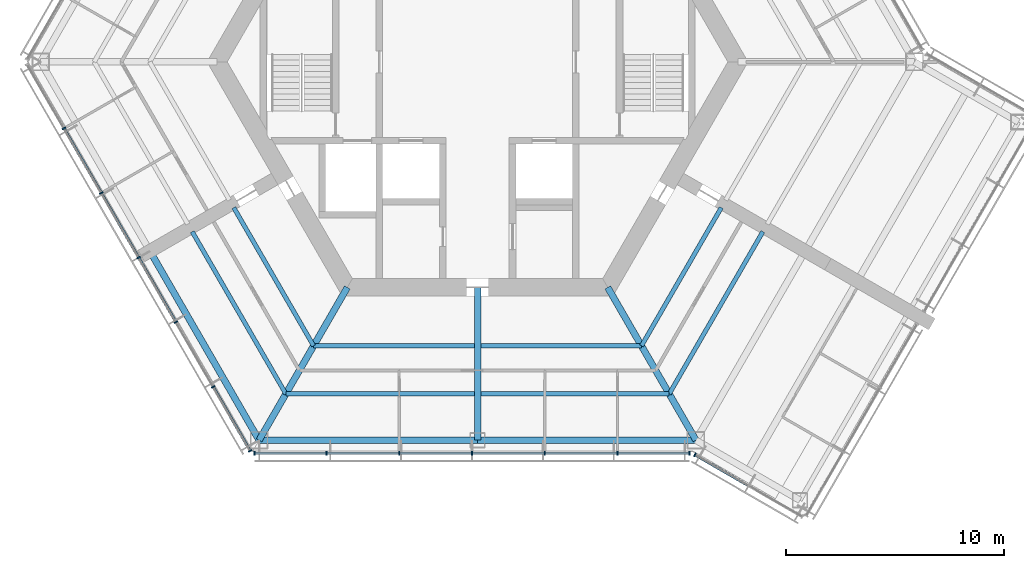
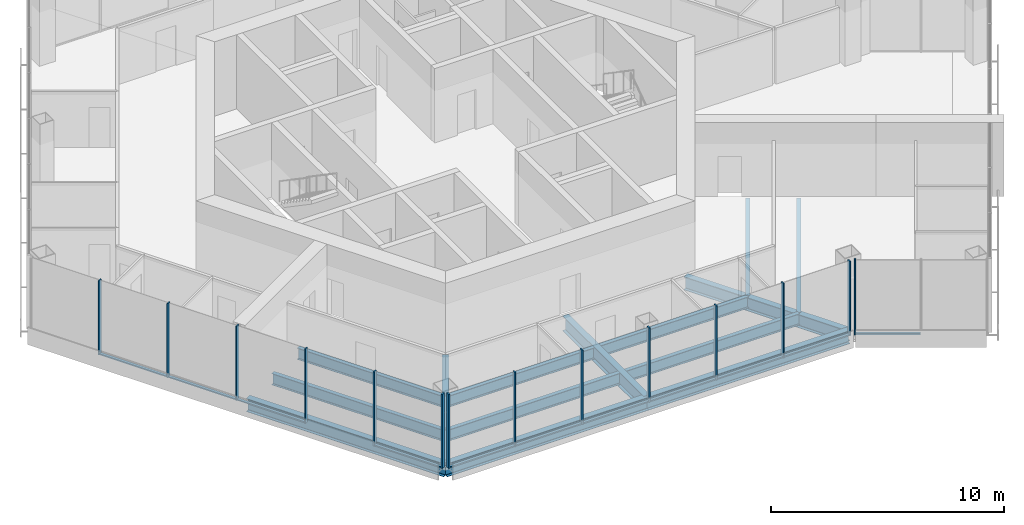
# One storey, part 2 of 13: 25 members, 14 beams, 3 elements without a shape of their own.
"""IFC4 building model written with IfcOpenShell, lengths in metres."""

import ifcopenshell
import ifcopenshell.guid

model = None  # the IFC model being written
_history = None  # IfcOwnerHistory: only IFC2X3 demands one
_inside = {}  # id of a spatial element -> (the spatial element, [elements in it])
_under = {}  # id of a project, library or spatial element -> (it, [spatial elements below it])
_declared = {}  # id of a project -> (the project, [libraries it declares])
_typed = {}  # id of a type object -> (the type object, [elements of that type])
_made_of = {}  # id of a material, layer set ... -> (it, [elements and type objects made of it])


def new_model(schema):
    """Start an empty IFC model of exactly this schema.

    Asked for "IFC4X3", IfcOpenShell would pick the latest addendum, in which some entities
    have other attributes; the version numbers below select the first issue.
    IFC2X3 requires an IfcOwnerHistory on every rooted entity: one is made here for all.
    """
    global model, _history
    if schema == "IFC4X3":
        model = ifcopenshell.file(schema_version=(4, 3, 0, 0))
    else:
        model = ifcopenshell.file(schema=schema)
    _inside.clear()
    _under.clear()
    _declared.clear()
    _typed.clear()
    _made_of.clear()
    _history = None
    if model.schema == "IFC2X3":
        org = make("IfcOrganization", Name="unknown")
        user = make(
            "IfcPersonAndOrganization",
            ThePerson=make("IfcPerson", FamilyName="unknown"),
            TheOrganization=org,
        )
        app = make(
            "IfcApplication",
            ApplicationDeveloper=org,
            Version="unknown",
            ApplicationFullName="unknown",
            ApplicationIdentifier="unknown",
        )
        _history = make(
            "IfcOwnerHistory",
            OwningUser=user,
            OwningApplication=app,
            ChangeAction="ADDED",
            CreationDate=0,
        )
    return model


def make(cls, **values):
    """One entity of the class cls with the attributes given. An attribute that is None is left unset."""
    return model.create_entity(
        cls, **{name: value for name, value in values.items() if value is not None}
    )


def rooted(cls, **values):
    """An entity with a GlobalId (a new one), such as an element, a storey or a relation."""
    return make(cls, GlobalId=ifcopenshell.guid.new(), OwnerHistory=_history, **values)


def si_unit(unit_type, name, prefix=None):
    """IfcSIUnit, for example si_unit("LENGTHUNIT", "METRE", prefix="MILLI")."""
    return make("IfcSIUnit", UnitType=unit_type, Prefix=prefix, Name=name)


def assignment(units):
    """IfcUnitAssignment: the units of a project."""
    return None if units is None else make("IfcUnitAssignment", Units=units)


def point(xyz):
    """IfcCartesianPoint."""
    return None if xyz is None else make("IfcCartesianPoint", Coordinates=xyz)


def direction(xyz):
    """IfcDirection."""
    return None if xyz is None else make("IfcDirection", DirectionRatios=xyz)


def frame(location, z_axis=None, x_axis=None):
    """IfcAxis2Placement3D, a coordinate frame: its origin and axes. An axis left out is left unset."""
    return make(
        "IfcAxis2Placement3D",
        Location=point(location),
        Axis=direction(z_axis),
        RefDirection=direction(x_axis),
    )


def frame_2d(location, x_axis=None):
    """IfcAxis2Placement2D, a coordinate frame in the plane: its origin and x axis."""
    return make(
        "IfcAxis2Placement2D", Location=point(location), RefDirection=direction(x_axis)
    )


def origin():
    """The frame at (0, 0, 0) with its axes left unset."""
    return frame((0.0, 0.0, 0.0))


def origin_2d():
    """The frame at (0, 0) in the plane with its x axis left unset."""
    return frame_2d((0.0, 0.0))


def place(relative_to, where):
    """IfcLocalPlacement: puts the frame where relative to a parent placement (None: the world)."""
    return make(
        "IfcLocalPlacement", PlacementRelTo=relative_to, RelativePlacement=where
    )


def context(
    kind, dimensions, precision=None, world=None, true_north=None, identifier=None
):
    """IfcGeometricRepresentationContext, for example the 3D "Model" context."""
    return make(
        "IfcGeometricRepresentationContext",
        ContextIdentifier=identifier,
        ContextType=kind,
        CoordinateSpaceDimension=dimensions,
        Precision=precision,
        WorldCoordinateSystem=world,
        TrueNorth=true_north,
    )


def subcontext(parent, identifier, kind, view, scale=None):
    """IfcGeometricRepresentationSubContext, for example "Body" below "Model"."""
    return make(
        "IfcGeometricRepresentationSubContext",
        ContextIdentifier=identifier,
        ContextType=kind,
        ParentContext=parent,
        TargetScale=scale,
        TargetView=view,
    )


def project(units=None, contexts=None):
    """IfcProject with its units and contexts."""
    return rooted(
        "IfcProject",
        Name="project",
        RepresentationContexts=contexts,
        UnitsInContext=assignment(units),
    )


def spatial(cls, under=None, at=None, **own):
    """A site, building, storey or space (cls), placed at a placement, below another one or the project."""
    s = rooted(cls, ObjectPlacement=at, **own)
    if under is not None:
        _under.setdefault(under.id(), (under, []))[1].append(s)
    return s


def profile(cls, at=None, kind="AREA", **sizes):
    """A parametric profile (cls). Its sizes go by their IFC names, for example OverallWidth=200.0."""
    return make(cls, ProfileType=kind, Position=at, **sizes)


def rectangle(**sizes):
    """IfcRectangleProfileDef."""
    return profile("IfcRectangleProfileDef", **sizes)


def i_section(**sizes):
    """IfcIShapeProfileDef."""
    return profile("IfcIShapeProfileDef", **sizes)


def extrude(swept, where, along, depth):
    """IfcExtrudedAreaSolid: the profile swept, set in the frame where, extruded along a direction by depth."""
    return make(
        "IfcExtrudedAreaSolid",
        SweptArea=swept,
        Position=where,
        ExtrudedDirection=direction(along),
        Depth=depth,
    )


def shape(context_of_items, identifier, shape_type, items):
    """IfcShapeRepresentation: the items that make up one representation, for example the "Body"."""
    return make(
        "IfcShapeRepresentation",
        ContextOfItems=context_of_items,
        RepresentationIdentifier=identifier,
        RepresentationType=shape_type,
        Items=items,
    )


def material(Name=None, Category=None):
    """IfcMaterial."""
    return make("IfcMaterial", Name=Name, Category=Category)


def material_profile(
    of_material, cross_section, Name=None, Category=None, Priority=None
):
    """IfcMaterialProfile: a cross section and its material."""
    return make(
        "IfcMaterialProfile",
        Name=Name,
        Material=of_material,
        Profile=cross_section,
        Priority=Priority,
        Category=Category,
    )


def profile_set(profiles, Name=None, composite=None):
    """IfcMaterialProfileSet."""
    return make(
        "IfcMaterialProfileSet",
        Name=Name,
        MaterialProfiles=profiles,
        CompositeProfile=composite,
    )


def made_of(thing, what):
    """Note that an element or type object is made of a material, layer set ...; save() writes the relation."""
    if what is not None:
        _made_of.setdefault(what.id(), (what, []))[1].append(thing)
    return thing


def type_object(cls, material=None, **own):
    """A type object (cls), such as IfcWallType, which elements share."""
    return made_of(rooted(cls, **own), material)


def element(
    cls,
    number,
    at=None,
    inside=None,
    cuts=None,
    type_object=None,
    material=None,
    context=None,
    identifier="Body",
    shape_type=None,
    held_by="IfcProductDefinitionShape",
    body=None,
    shapes=None,
    **own,
):
    """One element of the class cls, such as IfcWall. Its Tag is "e" and its number.

    at: its placement. inside: the storey or other place that contains it. cuts: it is an
    opening in that element (IfcRelVoidsElement). A single representation is given by context,
    identifier, shape_type and body (its items); several are given by shapes. held_by: the class
    of the entity that holds the representations. save() writes the other relations.
    """
    e = rooted(cls, Tag="e%d" % number, ObjectPlacement=at, **own)
    if body is not None:
        shapes = [shape(context, identifier, shape_type, body)]
    if shapes is not None:
        e.Representation = make(held_by, Representations=shapes)
    if inside is not None:
        _inside.setdefault(inside.id(), (inside, []))[1].append(e)
    if cuts is not None:
        rooted(
            "IfcRelVoidsElement", RelatingBuildingElement=cuts, RelatedOpeningElement=e
        )
    if type_object is not None:
        _typed.setdefault(type_object.id(), (type_object, []))[1].append(e)
    return made_of(e, material)


def aggregate(whole, parts):
    """IfcRelAggregates: a whole, such as a stair, and the parts it consists of."""
    return rooted("IfcRelAggregates", RelatingObject=whole, RelatedObjects=parts)


def save(model, path):
    """Write the relations noted so far, then the file.

    IfcRelAggregates (storeys below a building ...), IfcRelContainedInSpatialStructure (elements
    in a storey), IfcRelDefinesByType, IfcRelAssociatesMaterial and IfcRelDeclares: one each for
    every whole, place, type object, material and project.
    """
    for whole, parts in _under.values():
        aggregate(whole, parts)
    for where, things in _inside.values():
        rooted(
            "IfcRelContainedInSpatialStructure",
            RelatedElements=things,
            RelatingStructure=where,
        )
    for kind, things in _typed.values():
        rooted("IfcRelDefinesByType", RelatedObjects=things, RelatingType=kind)
    for what, things in _made_of.values():
        rooted("IfcRelAssociatesMaterial", RelatedObjects=things, RelatingMaterial=what)
    for by, libraries in _declared.values():
        rooted("IfcRelDeclares", RelatingContext=by, RelatedDefinitions=libraries)
    model.write(path)


model = new_model("IFC4")

# Units and contexts
model_context = context("Model", 3, precision=1e-05, world=origin(), true_north=direction((0.0, 1.0)))
body_context = subcontext(model_context, "Body", "Model", "MODEL_VIEW")
ifc_project = project(units=[si_unit("LENGTHUNIT", "METRE"), si_unit("AREAUNIT", "SQUARE_METRE"), si_unit("VOLUMEUNIT", "CUBIC_METRE"), si_unit("PLANEANGLEUNIT", "RADIAN"), si_unit("MASSUNIT", "GRAM", prefix="KILO")], contexts=[model_context])

# Site, building, storey
site_placement = place(None, origin())
site = spatial("IfcSite", under=ifc_project, at=site_placement, CompositionType="ELEMENT")
building_placement = place(site_placement, origin())
building = spatial("IfcBuilding", under=site, at=building_placement, Name="Kasaneha Research Tower", CompositionType="ELEMENT")
storey_placement = place(building_placement, frame((0.0, 0.0, 286.89990234375)))
storey = spatial("IfcBuildingStorey", under=building, at=storey_placement, Name="L72", CompositionType="ELEMENT", Elevation=286.89990234375)

# Beams
ifc_material_1 = material(Name="Steel SN490B", Category="steel")
ifc_material_profile_1 = material_profile(ifc_material_1, i_section(OverallWidth=0.199951171875, OverallDepth=0.60009765625, WebThickness=0.010986328125, FlangeThickness=0.01708984375, FilletRadius=0.012939453125, at=origin_2d()), Name="H-600x200x11x17")
ifc_profile_set_1 = profile_set([ifc_material_profile_1], Name="Steel SN490B")
beam_type_1 = type_object("IfcBeamType", Name="B1-3 secondary beam H-600x200x11x17", PredefinedType="JOIST", material=ifc_profile_set_1)
beam_1_placement = place(storey_placement, frame((-7.505615234375, -13.0, -0.449951171875), z_axis=(-0.499999192304, 0.866025870108, 0.0), x_axis=(-0.866025870108, -0.499999192304, 0.0)))
element("IfcBeam", 1, at=beam_1_placement, inside=storey, type_object=beam_type_1, Name="Secondary beam RS210R1 L72", PredefinedType="JOIST", context=body_context, shape_type="SweptSolid", body=[
    extrude(i_section(OverallWidth=0.199951171875, OverallDepth=0.60009765625, WebThickness=0.010986328125, FlangeThickness=0.01708984375, FilletRadius=0.012939453125, at=origin_2d()), origin(), (0.0, 0.0, 1.0), 7.3056640625),
])
beam_2_placement = place(storey_placement, frame((-8.775634765625, -15.199951171875, -0.449951171875), z_axis=(-0.500000102728, 0.866025344474, 0.0), x_axis=(-0.866025344474, -0.500000102728, 0.0)))
element("IfcBeam", 2, at=beam_2_placement, inside=storey, type_object=beam_type_1, Name="Secondary beam RS210R2 L72", PredefinedType="JOIST", context=body_context, shape_type="SweptSolid", body=[
    extrude(i_section(OverallWidth=0.199951171875, OverallDepth=0.60009765625, WebThickness=0.010986328125, FlangeThickness=0.01708984375, FilletRadius=0.012939453125, at=origin_2d()), origin(), (0.0, 0.0, 1.0), 8.57568359375),
])
beam_3_placement = place(storey_placement, frame((-7.505615234375, -13.0, -0.449951171875), z_axis=(1.0, 0.0, 0.0), x_axis=(0.0, 1.0, 0.0)))
element("IfcBeam", 3, at=beam_3_placement, inside=storey, type_object=beam_type_1, Name="Secondary beam RS270L1 L72", PredefinedType="JOIST", context=body_context, shape_type="SweptSolid", body=[
    extrude(i_section(OverallWidth=0.199951171875, OverallDepth=0.60009765625, WebThickness=0.010986328125, FlangeThickness=0.01708984375, FilletRadius=0.012939453125, at=origin_2d()), origin(), (0.0, 0.0, 1.0), 7.355712890625),
])
beam_4_placement = place(storey_placement, frame((-8.775634765625, -15.199951171875, -0.449951171875), z_axis=(1.0, 0.0, 0.0), x_axis=(0.0, 1.0, 0.0)))
element("IfcBeam", 4, at=beam_4_placement, inside=storey, type_object=beam_type_1, Name="Secondary beam RS270L2 L72", PredefinedType="JOIST", context=body_context, shape_type="SweptSolid", body=[
    extrude(i_section(OverallWidth=0.199951171875, OverallDepth=0.60009765625, WebThickness=0.010986328125, FlangeThickness=0.01708984375, FilletRadius=0.012939453125, at=origin_2d()), origin(), (0.0, 0.0, 1.0), 8.625732421875),
])
beam_5_placement = place(storey_placement, frame((7.505615234375, -13.0, -0.449951171875), z_axis=(-1.0, 0.0, 0.0), x_axis=(0.0, -1.0, 0.0)))
element("IfcBeam", 5, at=beam_5_placement, inside=storey, type_object=beam_type_1, Name="Secondary beam RS270R1 L72", PredefinedType="JOIST", context=body_context, shape_type="SweptSolid", body=[
    extrude(i_section(OverallWidth=0.199951171875, OverallDepth=0.60009765625, WebThickness=0.010986328125, FlangeThickness=0.01708984375, FilletRadius=0.012939453125, at=origin_2d()), origin(), (0.0, 0.0, 1.0), 7.355712890625),
])
beam_6_placement = place(storey_placement, frame((8.775634765625, -15.199951171875, -0.449951171875), z_axis=(-1.0, 0.0, 0.0), x_axis=(0.0, -1.0, 0.0)))
element("IfcBeam", 6, at=beam_6_placement, inside=storey, type_object=beam_type_1, Name="Secondary beam RS270R2 L72", PredefinedType="JOIST", context=body_context, shape_type="SweptSolid", body=[
    extrude(i_section(OverallWidth=0.199951171875, OverallDepth=0.60009765625, WebThickness=0.010986328125, FlangeThickness=0.01708984375, FilletRadius=0.012939453125, at=origin_2d()), origin(), (0.0, 0.0, 1.0), 8.625732421875),
])
beam_7_placement = place(storey_placement, frame((7.505615234375, -13.0, -0.449951171875), z_axis=(0.499999192304, 0.866025870108, 0.0), x_axis=(-0.866025870108, 0.499999192304, 0.0)))
element("IfcBeam", 7, at=beam_7_placement, inside=storey, type_object=beam_type_1, Name="Secondary beam RS330L1 L72", PredefinedType="JOIST", context=body_context, shape_type="SweptSolid", body=[
    extrude(i_section(OverallWidth=0.199951171875, OverallDepth=0.60009765625, WebThickness=0.010986328125, FlangeThickness=0.01708984375, FilletRadius=0.012939453125, at=origin_2d()), origin(), (0.0, 0.0, 1.0), 7.3056640625),
])
beam_8_placement = place(storey_placement, frame((8.775634765625, -15.199951171875, -0.449951171875), z_axis=(0.500000102728, 0.866025344474, 0.0), x_axis=(-0.866025344474, 0.500000102728, 0.0)))
element("IfcBeam", 8, at=beam_8_placement, inside=storey, type_object=beam_type_1, Name="Secondary beam RS330L2 L72", PredefinedType="JOIST", context=body_context, shape_type="SweptSolid", body=[
    extrude(i_section(OverallWidth=0.199951171875, OverallDepth=0.60009765625, WebThickness=0.010986328125, FlangeThickness=0.01708984375, FilletRadius=0.012939453125, at=origin_2d()), origin(), (0.0, 0.0, 1.0), 8.57568359375),
])

# Curtain wall, members
ifc_material_2 = material(Name="Glass and aluminium", Category="aluminium")
curtain_wall_type = type_object("IfcCurtainWallType", Name="Crown curtain wall", PredefinedType="USERDEFINED", material=ifc_material_2)
curtain_wall_1_placement = place(storey_placement, origin())
curtain_wall_1 = element("IfcCurtainWall", 9, at=curtain_wall_1_placement, inside=storey, type_object=curtain_wall_type, Name="CW-C L72 run 04a", ObjectType="UNITISED CURTAIN WALL", PredefinedType="USERDEFINED")
ifc_material_3 = material(Name="Aluminium 6063-T6", Category="aluminium")
ifc_material_profile_2 = material_profile(ifc_material_3, rectangle(XDim=0.06005859375, YDim=0.179931640625, at=origin_2d()), Name="CW-C mullion 60x180")
ifc_profile_set_2 = profile_set([ifc_material_profile_2], Name="Aluminium 6063-T6")
member_type_1 = type_object("IfcMemberType", Name="CW-C mullion", PredefinedType="MULLION", material=ifc_profile_set_2)
member_1_placement = place(storey_placement, frame((-18.93505859375, -3.04443359375, 0.0), z_axis=(0.0, 0.0, 1.0), x_axis=(0.499999995722, -0.866025406254, 0.0)))
member_1 = element("IfcMember", 10, at=member_1_placement, type_object=member_type_1, Name="CW-C mullion 2", PredefinedType="MULLION", context=body_context, shape_type="SweptSolid", body=[
    extrude(rectangle(XDim=0.06005859375, YDim=0.179931640625, at=origin_2d()), origin(), (0.0, 0.0, 1.0), 3.900146484375),
])
member_2_placement = place(storey_placement, frame((-17.227294921875, -6.00244140625, 0.0), z_axis=(0.0, 0.0, 1.0), x_axis=(0.499999995722, -0.866025406254, 0.0)))
member_2 = element("IfcMember", 11, at=member_2_placement, type_object=member_type_1, Name="CW-C mullion 3", PredefinedType="MULLION", context=body_context, shape_type="SweptSolid", body=[
    extrude(rectangle(XDim=0.06005859375, YDim=0.179931640625, at=origin_2d()), origin(), (0.0, 0.0, 1.0), 3.900146484375),
])
member_3_placement = place(storey_placement, frame((-15.51953125, -8.960205078125, 0.0), z_axis=(0.0, 0.0, 1.0), x_axis=(0.499999995722, -0.866025406254, 0.0)))
member_3 = element("IfcMember", 12, at=member_3_placement, type_object=member_type_1, Name="CW-C mullion 4", PredefinedType="MULLION", context=body_context, shape_type="SweptSolid", body=[
    extrude(rectangle(XDim=0.06005859375, YDim=0.179931640625, at=origin_2d()), origin(), (0.0, 0.0, 1.0), 3.900146484375),
])
member_4_placement = place(storey_placement, frame((-13.811767578125, -11.918212890625, 0.0), z_axis=(0.0, 0.0, 1.0), x_axis=(0.499999995722, -0.866025406254, 0.0)))
member_4 = element("IfcMember", 13, at=member_4_placement, type_object=member_type_1, Name="CW-C mullion 5", PredefinedType="MULLION", context=body_context, shape_type="SweptSolid", body=[
    extrude(rectangle(XDim=0.06005859375, YDim=0.179931640625, at=origin_2d()), origin(), (0.0, 0.0, 1.0), 3.900146484375),
])
member_5_placement = place(storey_placement, frame((-12.104248046875, -14.8759765625, 0.0), z_axis=(0.0, 0.0, 1.0), x_axis=(0.499999995722, -0.866025406254, 0.0)))
member_5 = element("IfcMember", 14, at=member_5_placement, type_object=member_type_1, Name="CW-C mullion 6", PredefinedType="MULLION", context=body_context, shape_type="SweptSolid", body=[
    extrude(rectangle(XDim=0.06005859375, YDim=0.179931640625, at=origin_2d()), origin(), (0.0, 0.0, 1.0), 3.900146484375),
])
member_6_placement = place(storey_placement, frame((-10.411376953125, -17.807861328125, 0.0), z_axis=(0.0, 0.0, 1.0), x_axis=(0.499999995722, -0.866025406254, 0.0)))
member_6 = element("IfcMember", 15, at=member_6_placement, type_object=member_type_1, Name="CW-C mullion 7", PredefinedType="MULLION", context=body_context, shape_type="SweptSolid", body=[
    extrude(rectangle(XDim=0.06005859375, YDim=0.179931640625, at=origin_2d()), origin(), (0.0, 0.0, 1.0), 3.900146484375),
])

curtain_wall_2_placement = place(storey_placement, origin())
curtain_wall_2 = element("IfcCurtainWall", 16, at=curtain_wall_2_placement, inside=storey, type_object=curtain_wall_type, Name="CW-C L72 run 05a", ObjectType="UNITISED CURTAIN WALL", PredefinedType="USERDEFINED")
member_7_placement = place(storey_placement, frame((-10.21630859375, -17.92041015625, 0.0), z_axis=(0.0, 0.0, 1.0), x_axis=(1.0, 0.0, 0.0)))
member_7 = element("IfcMember", 17, at=member_7_placement, type_object=member_type_1, Name="CW-C mullion 1", PredefinedType="MULLION", context=body_context, shape_type="SweptSolid", body=[
    extrude(rectangle(XDim=0.06005859375, YDim=0.179931640625, at=origin_2d()), origin(), (0.0, 0.0, 1.0), 3.900146484375),
])
member_8_placement = place(storey_placement, frame((-6.91552734375, -17.92041015625, 0.0), z_axis=(0.0, 0.0, 1.0), x_axis=(1.0, 0.0, 0.0)))
member_8 = element("IfcMember", 18, at=member_8_placement, type_object=member_type_1, Name="CW-C mullion 2", PredefinedType="MULLION", context=body_context, shape_type="SweptSolid", body=[
    extrude(rectangle(XDim=0.06005859375, YDim=0.179931640625, at=origin_2d()), origin(), (0.0, 0.0, 1.0), 3.900146484375),
])
member_9_placement = place(storey_placement, frame((-3.58447265625, -17.92041015625, 0.0), z_axis=(0.0, 0.0, 1.0), x_axis=(1.0, 0.0, 0.0)))
member_9 = element("IfcMember", 19, at=member_9_placement, type_object=member_type_1, Name="CW-C mullion 3", PredefinedType="MULLION", context=body_context, shape_type="SweptSolid", body=[
    extrude(rectangle(XDim=0.06005859375, YDim=0.179931640625, at=origin_2d()), origin(), (0.0, 0.0, 1.0), 3.900146484375),
])
member_10_placement = place(storey_placement, frame((-0.253662109375, -17.92041015625, 0.0), z_axis=(0.0, 0.0, 1.0), x_axis=(1.0, 0.0, 0.0)))
member_10 = element("IfcMember", 20, at=member_10_placement, type_object=member_type_1, Name="CW-C mullion 4", PredefinedType="MULLION", context=body_context, shape_type="SweptSolid", body=[
    extrude(rectangle(XDim=0.06005859375, YDim=0.179931640625, at=origin_2d()), origin(), (0.0, 0.0, 1.0), 3.900146484375),
])
member_11_placement = place(storey_placement, frame((3.077392578125, -17.92041015625, 0.0), z_axis=(0.0, 0.0, 1.0), x_axis=(1.0, 0.0, 0.0)))
member_11 = element("IfcMember", 21, at=member_11_placement, type_object=member_type_1, Name="CW-C mullion 5", PredefinedType="MULLION", context=body_context, shape_type="SweptSolid", body=[
    extrude(rectangle(XDim=0.06005859375, YDim=0.179931640625, at=origin_2d()), origin(), (0.0, 0.0, 1.0), 3.900146484375),
])
member_12_placement = place(storey_placement, frame((6.408203125, -17.92041015625, 0.0), z_axis=(0.0, 0.0, 1.0), x_axis=(1.0, 0.0, 0.0)))
member_12 = element("IfcMember", 22, at=member_12_placement, type_object=member_type_1, Name="CW-C mullion 6", PredefinedType="MULLION", context=body_context, shape_type="SweptSolid", body=[
    extrude(rectangle(XDim=0.06005859375, YDim=0.179931640625, at=origin_2d()), origin(), (0.0, 0.0, 1.0), 3.900146484375),
])
member_13_placement = place(storey_placement, frame((9.709228515625, -17.92041015625, 0.0), z_axis=(0.0, 0.0, 1.0), x_axis=(1.0, 0.0, 0.0)))
member_13 = element("IfcMember", 23, at=member_13_placement, type_object=member_type_1, Name="CW-C mullion 7", PredefinedType="MULLION", context=body_context, shape_type="SweptSolid", body=[
    extrude(rectangle(XDim=0.06005859375, YDim=0.179931640625, at=origin_2d()), origin(), (0.0, 0.0, 1.0), 3.900146484375),
])

# Curtain wall, member
curtain_wall_3_placement = place(storey_placement, origin())
curtain_wall_3 = element("IfcCurtainWall", 24, at=curtain_wall_3_placement, inside=storey, type_object=curtain_wall_type, Name="CW-C L72 run 06a", ObjectType="UNITISED CURTAIN WALL", PredefinedType="USERDEFINED")
member_14_placement = place(storey_placement, frame((9.951904296875, -17.985595703125, 0.0), z_axis=(0.0, 0.0, 1.0), x_axis=(0.866025443395, -0.499999931393, 0.0)))
member_14 = element("IfcMember", 25, at=member_14_placement, type_object=member_type_1, Name="CW-C mullion 1", PredefinedType="MULLION", context=body_context, shape_type="SweptSolid", body=[
    extrude(rectangle(XDim=0.06005859375, YDim=0.179931640625, at=origin_2d()), origin(), (0.0, 0.0, 1.0), 3.900146484375),
])

# Member
ifc_material_4 = material(Name="Aluminium 6063-T6", Category="aluminium")
ifc_material_profile_3 = material_profile(ifc_material_4, rectangle(XDim=0.1298828125, YDim=0.06005859375, at=origin_2d()), Name="CW-C transom 130x60")
ifc_profile_set_3 = profile_set([ifc_material_profile_3], Name="Aluminium 6063-T6")
member_type_2 = type_object("IfcMemberType", Name="CW-C transom", PredefinedType="USERDEFINED", material=ifc_profile_set_3)
member_15_placement = place(storey_placement, frame((-18.920166015625, -3.070556640625, 0.030029296875), z_axis=(0.500020578564, -0.866013522419, 0.0), x_axis=(0.866013522419, 0.500020578564, 0.0)))
member_15 = element("IfcMember", 26, at=member_15_placement, type_object=member_type_2, Name="CW-C transom 2", ObjectType="TRANSOM", PredefinedType="USERDEFINED", context=body_context, shape_type="SweptSolid", body=[
    extrude(rectangle(XDim=0.1298828125, YDim=0.06005859375, at=origin_2d()), origin(), (0.0, 0.0, 1.0), 3.355224609375),
])

member_16_placement = place(storey_placement, frame((-17.21240234375, -6.0283203125, 0.030029296875), z_axis=(0.499989072476, -0.866031712701, 0.0), x_axis=(0.866031712701, 0.499989072476, 0.0)))
member_16 = element("IfcMember", 27, at=member_16_placement, type_object=member_type_2, Name="CW-C transom 3", ObjectType="TRANSOM", PredefinedType="USERDEFINED", context=body_context, shape_type="SweptSolid", body=[
    extrude(rectangle(XDim=0.1298828125, YDim=0.06005859375, at=origin_2d()), origin(), (0.0, 0.0, 1.0), 3.35546875),
])

member_17_placement = place(storey_placement, frame((-15.504638671875, -8.986328125, 0.030029296875), z_axis=(0.500020578564, -0.866013522419, 0.0), x_axis=(0.866013522419, 0.500020578564, 0.0)))
member_17 = element("IfcMember", 28, at=member_17_placement, type_object=member_type_2, Name="CW-C transom 4", ObjectType="TRANSOM", PredefinedType="USERDEFINED", context=body_context, shape_type="SweptSolid", body=[
    extrude(rectangle(XDim=0.1298828125, YDim=0.06005859375, at=origin_2d()), origin(), (0.0, 0.0, 1.0), 3.355224609375),
])

member_18_placement = place(storey_placement, frame((-12.089111328125, -14.902099609375, 0.030029296875), z_axis=(0.49997666526, -0.866038875684, 0.0), x_axis=(0.866038875684, 0.49997666526, 0.0)))
member_18 = element("IfcMember", 29, at=member_18_placement, type_object=member_type_2, Name="CW-C transom 6", ObjectType="TRANSOM", PredefinedType="USERDEFINED", context=body_context, shape_type="SweptSolid", body=[
    extrude(rectangle(XDim=0.1298828125, YDim=0.06005859375, at=origin_2d()), origin(), (0.0, 0.0, 1.0), 3.325439453125),
])

aggregate(curtain_wall_1, [member_1, member_2, member_3, member_4, member_5, member_6, member_15, member_16, member_17, member_18])

member_19_placement = place(storey_placement, frame((-10.1865234375, -17.92041015625, 0.030029296875), z_axis=(1.0, 0.0, 0.0), x_axis=(0.0, 1.0, 0.0)))
member_19 = element("IfcMember", 30, at=member_19_placement, type_object=member_type_2, Name="CW-C transom 1", ObjectType="TRANSOM", PredefinedType="USERDEFINED", context=body_context, shape_type="SweptSolid", body=[
    extrude(rectangle(XDim=0.1298828125, YDim=0.06005859375, at=origin_2d()), origin(), (0.0, 0.0, 1.0), 3.240966796875),
])

member_20_placement = place(storey_placement, frame((-6.885498046875, -17.92041015625, 0.030029296875), z_axis=(1.0, 0.0, 0.0), x_axis=(0.0, 1.0, 0.0)))
member_20 = element("IfcMember", 31, at=member_20_placement, type_object=member_type_2, Name="CW-C transom 2", ObjectType="TRANSOM", PredefinedType="USERDEFINED", context=body_context, shape_type="SweptSolid", body=[
    extrude(rectangle(XDim=0.1298828125, YDim=0.06005859375, at=origin_2d()), origin(), (0.0, 0.0, 1.0), 3.27099609375),
])

member_21_placement = place(storey_placement, frame((-3.554443359375, -17.92041015625, 0.030029296875), z_axis=(1.0, 0.0, 0.0), x_axis=(0.0, 1.0, 0.0)))
member_21 = element("IfcMember", 32, at=member_21_placement, type_object=member_type_2, Name="CW-C transom 3", ObjectType="TRANSOM", PredefinedType="USERDEFINED", context=body_context, shape_type="SweptSolid", body=[
    extrude(rectangle(XDim=0.1298828125, YDim=0.06005859375, at=origin_2d()), origin(), (0.0, 0.0, 1.0), 3.270751953125),
])

member_22_placement = place(storey_placement, frame((-0.2236328125, -17.92041015625, 0.030029296875), z_axis=(1.0, 0.0, 0.0), x_axis=(0.0, 1.0, 0.0)))
member_22 = element("IfcMember", 33, at=member_22_placement, type_object=member_type_2, Name="CW-C transom 4", ObjectType="TRANSOM", PredefinedType="USERDEFINED", context=body_context, shape_type="SweptSolid", body=[
    extrude(rectangle(XDim=0.1298828125, YDim=0.06005859375, at=origin_2d()), origin(), (0.0, 0.0, 1.0), 3.27099609375),
])

member_23_placement = place(storey_placement, frame((3.107421875, -17.92041015625, 0.030029296875), z_axis=(1.0, 0.0, 0.0), x_axis=(0.0, 1.0, 0.0)))
member_23 = element("IfcMember", 34, at=member_23_placement, type_object=member_type_2, Name="CW-C transom 5", ObjectType="TRANSOM", PredefinedType="USERDEFINED", context=body_context, shape_type="SweptSolid", body=[
    extrude(rectangle(XDim=0.1298828125, YDim=0.06005859375, at=origin_2d()), origin(), (0.0, 0.0, 1.0), 3.270751953125),
])

member_24_placement = place(storey_placement, frame((6.438232421875, -17.92041015625, 0.030029296875), z_axis=(1.0, 0.0, 0.0), x_axis=(0.0, 1.0, 0.0)))
member_24 = element("IfcMember", 35, at=member_24_placement, type_object=member_type_2, Name="CW-C transom 6", ObjectType="TRANSOM", PredefinedType="USERDEFINED", context=body_context, shape_type="SweptSolid", body=[
    extrude(rectangle(XDim=0.1298828125, YDim=0.06005859375, at=origin_2d()), origin(), (0.0, 0.0, 1.0), 3.240966796875),
])

aggregate(curtain_wall_2, [member_7, member_8, member_9, member_10, member_11, member_12, member_13, member_19, member_20, member_21, member_22, member_23, member_24])

member_25_placement = place(storey_placement, frame((9.977783203125, -18.00048828125, 0.030029296875), z_axis=(0.866012991964, -0.500021497287, 0.0), x_axis=(0.500021497287, 0.866012991964, 0.0)))
member_25 = element("IfcMember", 36, at=member_25_placement, type_object=member_type_2, Name="CW-C transom 1", ObjectType="TRANSOM", PredefinedType="USERDEFINED", context=body_context, shape_type="SweptSolid", body=[
    extrude(rectangle(XDim=0.1298828125, YDim=0.06005859375, at=origin_2d()), origin(), (0.0, 0.0, 1.0), 2.77978515625),
])

aggregate(curtain_wall_3, [member_14, member_25])

# Beams
ifc_material_5 = material(Name="Steel SN490B", Category="steel")
ifc_material_profile_4 = material_profile(ifc_material_5, i_section(OverallWidth=0.300048828125, OverallDepth=0.699951171875, WebThickness=0.012939453125, FlangeThickness=0.02392578125, FilletRadius=0.01806640625, at=origin_2d()), Name="H-700x300x13x24")
ifc_profile_set_4 = profile_set([ifc_material_profile_4], Name="Steel SN490B")
beam_type_2 = type_object("IfcBeamType", Name="G1-3 radial girder H-700x300x13x24", PredefinedType="BEAM", material=ifc_profile_set_4)
for number, where, z_axis, x_axis, name in (
    (37, (-5.961181640625, -10.324951171875, -0.5), (-0.49999105496, -0.866030568144, 0.0), (0.866030568144, -0.49999105496, 0.0), "Radial girder RV240 L72"),
    (38, (5.961181640625, -10.324951171875, -0.5), (0.49999105496, -0.866030568144, 0.0), (0.866030568144, 0.49999105496, 0.0), "Radial girder RV300 L72"),
):
    element("IfcBeam", number, at=place(storey_placement, frame(where, z_axis=z_axis, x_axis=x_axis)), inside=storey, type_object=beam_type_2, Name=name, PredefinedType="BEAM", context=body_context, shape_type="SweptSolid", body=[
        extrude(i_section(OverallWidth=0.300048828125, OverallDepth=0.699951171875, WebThickness=0.012939453125, FlangeThickness=0.02392578125, FilletRadius=0.01806640625, at=origin_2d()), origin(), (0.0, 0.0, 1.0), 8.077880859375),
    ])
ifc_material_6 = material(Name="Steel SN490B", Category="steel")
ifc_material_profile_5 = material_profile(ifc_material_6, i_section(OverallWidth=0.300048828125, OverallDepth=0.800048828125, WebThickness=0.013916015625, FlangeThickness=0.02587890625, FilletRadius=0.01806640625, at=origin_2d()), Name="H-800x300x14x26")
ifc_profile_set_5 = profile_set([ifc_material_profile_5], Name="Steel SN490B")
beam_type_3 = type_object("IfcBeamType", Name="G2-3 radial girder H-800x300x14x26", PredefinedType="BEAM", material=ifc_profile_set_5)
beam_9_placement = place(storey_placement, frame((0.0, -10.324951171875, -0.5498046875), z_axis=(0.0, -1.0, 0.0), x_axis=(1.0, 0.0, 0.0)))
element("IfcBeam", 39, at=beam_9_placement, inside=storey, type_object=beam_type_3, Name="Radial girder RM270 L72", PredefinedType="BEAM", context=body_context, shape_type="SweptSolid", body=[
    extrude(i_section(OverallWidth=0.300048828125, OverallDepth=0.800048828125, WebThickness=0.013916015625, FlangeThickness=0.02587890625, FilletRadius=0.01806640625, at=origin_2d()), origin(), (0.0, 0.0, 1.0), 6.99560546875),
])
ifc_material_7 = material(Name="Steel SN490B", Category="steel")
ifc_material_profile_6 = material_profile(ifc_material_7, i_section(OverallWidth=0.300048828125, OverallDepth=0.69189453125, WebThickness=0.012939453125, FlangeThickness=0.02001953125, FilletRadius=0.01806640625, at=origin_2d()), Name="H-692x300x13x20")
ifc_profile_set_6 = profile_set([ifc_material_profile_6], Name="Steel SN490B")
beam_type_4 = type_object("IfcBeamType", Name="G3-3 plate edge girder H-692x300x13x20", PredefinedType="BEAM", material=ifc_profile_set_6)
beam_10_placement = place(storey_placement, frame((-10.0, -17.320556640625, -0.495849609375), z_axis=(-0.49999201416, 0.866030014362, 0.0), x_axis=(-0.866030014362, -0.49999201416, 0.0)))
element("IfcBeam", 40, at=beam_10_placement, inside=storey, type_object=beam_type_4, Name="Plate edge girder PEBN L72", PredefinedType="BEAM", context=body_context, shape_type="SweptSolid", body=[
    extrude(i_section(OverallWidth=0.300048828125, OverallDepth=0.69189453125, WebThickness=0.012939453125, FlangeThickness=0.02001953125, FilletRadius=0.01806640625, at=origin_2d()), origin(), (0.0, 0.0, 1.0), 9.800048828125),
])
ifc_material_8 = material(Name="Steel SN490B", Category="steel")
ifc_material_profile_7 = material_profile(ifc_material_8, i_section(OverallWidth=0.300048828125, OverallDepth=0.69189453125, WebThickness=0.012939453125, FlangeThickness=0.02001953125, FilletRadius=0.01806640625, at=origin_2d()), Name="H-692x300x13x20")
ifc_profile_set_7 = profile_set([ifc_material_profile_7], Name="Steel SN490B")
beam_type_5 = type_object("IfcBeamType", Name="SB1-3 spandrel beam H-692x300x13x20", PredefinedType="SPANDREL", material=ifc_profile_set_7)
for number, where, z_axis, x_axis, name in (
    (41, (-10.0, -17.320556640625, -0.495849609375), (1.0, 0.0, 0.0), (0.0, 1.0, 0.0), "Spandrel beam SR270L L72"),
    (42, (10.0, -17.320556640625, -0.495849609375), (-1.0, 0.0, 0.0), (0.0, -1.0, 0.0), "Spandrel beam SR270R L72"),
):
    element("IfcBeam", number, at=place(storey_placement, frame(where, z_axis=z_axis, x_axis=x_axis)), inside=storey, type_object=beam_type_5, Name=name, PredefinedType="SPANDREL", context=body_context, shape_type="SweptSolid", body=[
        extrude(i_section(OverallWidth=0.300048828125, OverallDepth=0.69189453125, WebThickness=0.012939453125, FlangeThickness=0.02001953125, FilletRadius=0.01806640625, at=origin_2d()), origin(), (0.0, 0.0, 1.0), 10.0),
    ])

save(model, "model.ifc")
